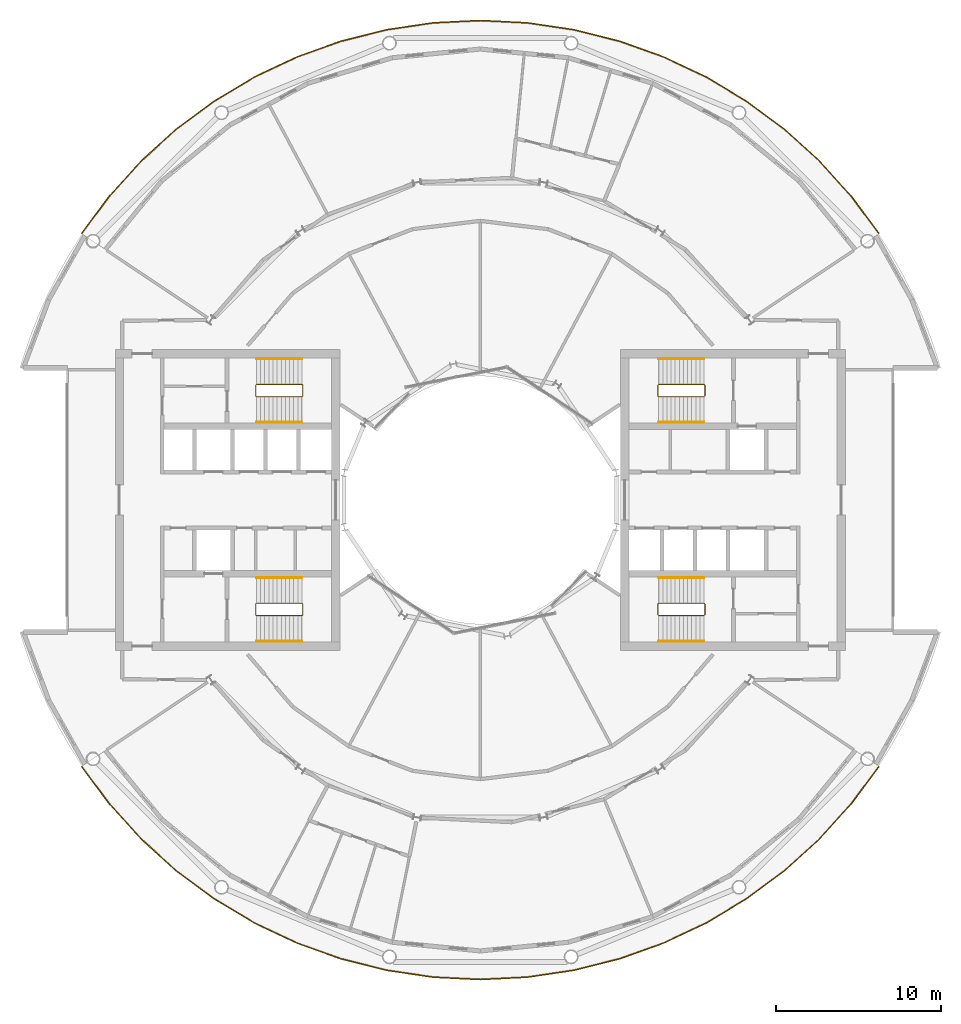
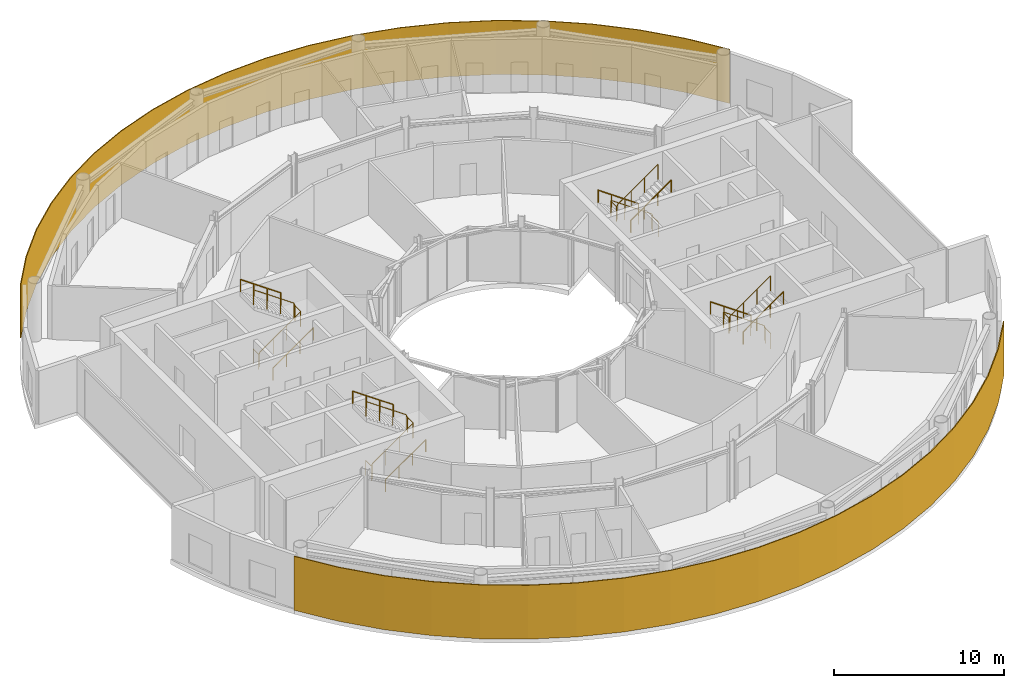
# One storey, part 21 of 21: 14 railings.
"""IFC4 building model written with IfcOpenShell, lengths in metres."""

from ifc_helpers import new_model, si_unit, direction, frame, origin, origin_2d, place, context, subcontext, project, spatial, polyline, circle, outline, extrude, material, layer, layer_set, type_object, element, save


model = new_model("IFC4")

# Units and contexts
model_context = context("Model", 3, precision=1e-05, world=origin(), true_north=direction((0.0, 1.0)))
body_context = subcontext(model_context, "Body", "Model", "MODEL_VIEW")
ifc_project = project(units=[si_unit("LENGTHUNIT", "METRE"), si_unit("AREAUNIT", "SQUARE_METRE"), si_unit("VOLUMEUNIT", "CUBIC_METRE"), si_unit("PLANEANGLEUNIT", "RADIAN"), si_unit("MASSUNIT", "GRAM", prefix="KILO")], contexts=[model_context])

# Site, building, storey
site_placement = place(None, origin())
site = spatial("IfcSite", under=ifc_project, at=site_placement, CompositionType="ELEMENT")
building_placement = place(site_placement, origin())
building = spatial("IfcBuilding", under=site, at=building_placement, Name="Maasbend Ring Residences", CompositionType="ELEMENT")
storey_placement = place(building_placement, frame((0.0, 0.0, 157.39990234375)))
storey = spatial("IfcBuildingStorey", under=building, at=storey_placement, Name="L45", CompositionType="ELEMENT", Elevation=157.39990234375)

# Railings
ifc_material_1 = material(Name="Pale anodised perforated aluminium", Category="aluminium")
ifc_layer = layer(ifc_material_1, 0.06005859375)
ifc_layer_set = layer_set([ifc_layer], Name="SCREEN-P")
railing_type_1 = type_object("IfcRailingType", Name="SCREEN-P", PredefinedType="GUARDRAIL", material=ifc_layer_set)
railing_1_placement = place(storey_placement, frame((0.0, 0.0, -0.02978515625)))
element("IfcRailing", 1, at=railing_1_placement, inside=storey, type_object=railing_type_1, Name="Perforated screen guard 1", PredefinedType="GUARDRAIL", context=body_context, shape_type="SweptSolid", body=[
    extrude(outline(polyline([(24.113037109375, 16.112060546875), (22.4169921875, 18.39697265625), (20.506103515625, 20.506103515625), (18.39697265625, 22.4169921875), (16.112060546875, 24.113037109375), (13.6708984375, 25.575927734375), (11.097900390625, 26.79296875), (8.41796875, 27.7509765625), (5.657958984375, 28.443115234375), (2.842041015625, 28.860107421875), (0.0, 29.0), (-2.842041015625, 28.860107421875), (-5.657958984375, 28.443115234375), (-8.41796875, 27.7509765625), (-11.097900390625, 26.79296875), (-13.6708984375, 25.575927734375), (-16.112060546875, 24.113037109375), (-18.39697265625, 22.4169921875), (-20.506103515625, 20.506103515625), (-22.4169921875, 18.39697265625), (-24.113037109375, 16.112060546875), (-24.1630859375, 16.14501953125), (-22.464111328125, 18.43505859375), (-20.549072265625, 20.549072265625), (-18.43505859375, 22.464111328125), (-16.14501953125, 24.1630859375), (-13.698974609375, 25.62890625), (-11.12109375, 26.847900390625), (-8.43603515625, 27.80908203125), (-5.6689453125, 28.501953125), (-2.847900390625, 28.919921875), (0.0, 29.06005859375), (2.847900390625, 28.919921875), (5.6689453125, 28.501953125), (8.43603515625, 27.80908203125), (11.12109375, 26.847900390625), (13.698974609375, 25.62890625), (16.14501953125, 24.1630859375), (18.43505859375, 22.464111328125), (20.549072265625, 20.549072265625), (22.464111328125, 18.43505859375), (24.1630859375, 16.14501953125), (24.113037109375, 16.112060546875)])), origin(), (0.0, 0.0, 1.0), 3.8798828125),
])
railing_2_placement = place(storey_placement, frame((0.0, 0.0, -0.02978515625)))
element("IfcRailing", 2, at=railing_2_placement, inside=storey, type_object=railing_type_1, Name="Perforated screen guard 1", PredefinedType="GUARDRAIL", context=body_context, shape_type="SweptSolid", body=[
    extrude(outline(polyline([(-24.113037109375, -16.112060546875), (-22.4169921875, -18.39697265625), (-20.506103515625, -20.506103515625), (-18.39697265625, -22.4169921875), (-16.112060546875, -24.113037109375), (-13.6708984375, -25.575927734375), (-11.097900390625, -26.79296875), (-8.41796875, -27.7509765625), (-5.657958984375, -28.443115234375), (-2.842041015625, -28.860107421875), (0.0, -29.0), (2.842041015625, -28.860107421875), (5.657958984375, -28.443115234375), (8.41796875, -27.7509765625), (11.097900390625, -26.79296875), (13.6708984375, -25.575927734375), (16.112060546875, -24.113037109375), (18.39697265625, -22.4169921875), (20.506103515625, -20.506103515625), (22.4169921875, -18.39697265625), (24.113037109375, -16.112060546875), (24.1630859375, -16.14501953125), (22.464111328125, -18.43505859375), (20.549072265625, -20.549072265625), (18.43505859375, -22.464111328125), (16.14501953125, -24.1630859375), (13.698974609375, -25.62890625), (11.12109375, -26.847900390625), (8.43603515625, -27.80908203125), (5.6689453125, -28.501953125), (2.847900390625, -28.919921875), (0.0, -29.06005859375), (-2.847900390625, -28.919921875), (-5.6689453125, -28.501953125), (-8.43603515625, -27.80908203125), (-11.12109375, -26.847900390625), (-13.698974609375, -25.62890625), (-16.14501953125, -24.1630859375), (-18.43505859375, -22.464111328125), (-20.549072265625, -20.549072265625), (-22.464111328125, -18.43505859375), (-24.1630859375, -16.14501953125), (-24.113037109375, -16.112060546875)])), origin(), (0.0, 0.0, 1.0), 3.8798828125),
])
ifc_material_2 = material(Name="Stainless steel 316", Category="steel")
railing_type_2 = type_object("IfcRailingType", Name="STAIR GUARD 1100", PredefinedType="GUARDRAIL", material=ifc_material_2)
railing_3_placement = place(storey_placement, frame((13.60009765625, 6.300048828125, 0.0)))
element("IfcRailing", 3, at=railing_3_placement, inside=storey, type_object=railing_type_2, Name="L45 ST-E1 stair guard 1", PredefinedType="GUARDRAIL", context=body_context, shape_type="SweptSolid", body=[
    extrude(circle(Radius=0.02392578125, at=origin_2d()), frame((0.0, 0.0, 1.076171875), z_axis=(0.0, 1.0, 0.0), x_axis=(-1.0, 0.0, 0.0)), (0.0, 0.0, 1.0), 0.64990234375),
    extrude(circle(Radius=0.02392578125, at=origin_2d()), frame((0.0, 0.64990234375, 1.076171875), z_axis=(-0.265065253269, 0.265065253269, 0.927081885822), x_axis=(-0.707106781187, -0.707106781187, 0.0)), (0.0, 0.0, 1.0), 0.188720703125),
    extrude(circle(Radius=0.02392578125, at=origin_2d()), frame((-0.050048828125, 0.699951171875, 1.2509765625), z_axis=(-0.819225086817, 0.0, 0.573472106672), x_axis=(0.0, -1.0, 0.0)), (0.0, 0.0, 1.0), 3.35693359375),
    extrude(circle(Radius=0.02392578125, at=origin_2d()), frame((-2.800048828125, 0.699951171875, 3.17626953125), z_axis=(-0.707106781187, -0.707106781187, 0.0), x_axis=(0.707106781187, -0.707106781187, 0.0)), (0.0, 0.0, 1.0), 0.07080078125),
    extrude(circle(Radius=0.02392578125, at=origin_2d()), frame((-2.85009765625, 0.64990234375, 3.17626953125), z_axis=(0.0, -1.0, 0.0), x_axis=(1.0, 0.0, 0.0)), (0.0, 0.0, 1.0), 0.64990234375),
    extrude(circle(Radius=0.02392578125, at=origin_2d()), frame((-2.85009765625, 0.0, 3.17626953125), z_axis=(0.265065253269, -0.265065253269, 0.927081885822), x_axis=(0.707106781187, 0.707106781187, 0.0)), (0.0, 0.0, 1.0), 0.188720703125),
    extrude(circle(Radius=0.02392578125, at=origin_2d()), frame((-2.800048828125, -0.050048828125, 3.35107421875), z_axis=(0.819225086817, 0.0, 0.573472106672), x_axis=(0.0, 1.0, 0.0)), (0.0, 0.0, 1.0), 3.35693359375),
    extrude(circle(Radius=0.02099609375, at=origin_2d()), origin(), (0.0, 0.0, 1.0), 1.052001953125),
    extrude(circle(Radius=0.02099609375, at=origin_2d()), frame((0.0, 0.64990234375, 0.0)), (0.0, 0.0, 1.0), 1.052001953125),
    extrude(circle(Radius=0.02099609375, at=origin_2d()), frame((-0.050048828125, 0.699951171875, 0.175048828125)), (0.0, 0.0, 1.0), 1.052001953125),
    extrude(circle(Radius=0.02099609375, at=origin_2d()), frame((-0.966796875, 0.699951171875, 0.816650390625)), (0.0, 0.0, 1.0), 1.052001953125),
    extrude(circle(Radius=0.02099609375, at=origin_2d()), frame((-1.88330078125, 0.699951171875, 1.45849609375)), (0.0, 0.0, 1.0), 1.052001953125),
    extrude(circle(Radius=0.02099609375, at=origin_2d()), frame((-2.800048828125, 0.699951171875, 2.10009765625)), (0.0, 0.0, 1.0), 1.052001953125),
    extrude(circle(Radius=0.02099609375, at=origin_2d()), frame((-2.85009765625, 0.64990234375, 2.10009765625)), (0.0, 0.0, 1.0), 1.052001953125),
    extrude(circle(Radius=0.02099609375, at=origin_2d()), frame((-2.85009765625, 0.0, 2.10009765625)), (0.0, 0.0, 1.0), 1.052001953125),
    extrude(circle(Radius=0.02099609375, at=origin_2d()), frame((-2.800048828125, -0.050048828125, 2.275146484375)), (0.0, 0.0, 1.0), 1.052001953125),
    extrude(circle(Radius=0.02099609375, at=origin_2d()), frame((-1.88330078125, -0.050048828125, 2.916748046875)), (0.0, 0.0, 1.0), 1.052001953125),
    extrude(circle(Radius=0.02099609375, at=origin_2d()), frame((-0.966796875, -0.050048828125, 3.55859375)), (0.0, 0.0, 1.0), 1.052001953125),
    extrude(circle(Radius=0.02099609375, at=origin_2d()), frame((-0.050048828125, -0.050048828125, 4.2001953125)), (0.0, 0.0, 1.0), 1.052001953125),
])
railing_4_placement = place(storey_placement, frame((13.60009765625, -6.949951171875, 0.0)))
element("IfcRailing", 4, at=railing_4_placement, inside=storey, type_object=railing_type_2, Name="L45 ST-E2 stair guard 1", PredefinedType="GUARDRAIL", context=body_context, shape_type="SweptSolid", body=[
    extrude(circle(Radius=0.02392578125, at=origin_2d()), frame((0.0, 0.0, 1.076171875), z_axis=(0.0, 1.0, 0.0), x_axis=(-1.0, 0.0, 0.0)), (0.0, 0.0, 1.0), 0.64990234375),
    extrude(circle(Radius=0.02392578125, at=origin_2d()), frame((0.0, 0.64990234375, 1.076171875), z_axis=(-0.265065253269, 0.265065253269, 0.927081885822), x_axis=(-0.707106781187, -0.707106781187, 0.0)), (0.0, 0.0, 1.0), 0.188720703125),
    extrude(circle(Radius=0.02392578125, at=origin_2d()), frame((-0.050048828125, 0.699951171875, 1.2509765625), z_axis=(-0.819225086817, 0.0, 0.573472106672), x_axis=(0.0, -1.0, 0.0)), (0.0, 0.0, 1.0), 3.35693359375),
    extrude(circle(Radius=0.02392578125, at=origin_2d()), frame((-2.800048828125, 0.699951171875, 3.17626953125), z_axis=(-0.707106781187, -0.707106781187, 0.0), x_axis=(0.707106781187, -0.707106781187, 0.0)), (0.0, 0.0, 1.0), 0.07080078125),
    extrude(circle(Radius=0.02392578125, at=origin_2d()), frame((-2.85009765625, 0.64990234375, 3.17626953125), z_axis=(0.0, -1.0, 0.0), x_axis=(1.0, 0.0, 0.0)), (0.0, 0.0, 1.0), 0.64990234375),
    extrude(circle(Radius=0.02392578125, at=origin_2d()), frame((-2.85009765625, 0.0, 3.17626953125), z_axis=(0.265065253269, -0.265065253269, 0.927081885822), x_axis=(0.707106781187, 0.707106781187, 0.0)), (0.0, 0.0, 1.0), 0.188720703125),
    extrude(circle(Radius=0.02392578125, at=origin_2d()), frame((-2.800048828125, -0.050048828125, 3.35107421875), z_axis=(0.819225086817, 0.0, 0.573472106672), x_axis=(0.0, 1.0, 0.0)), (0.0, 0.0, 1.0), 3.35693359375),
    extrude(circle(Radius=0.02099609375, at=origin_2d()), origin(), (0.0, 0.0, 1.0), 1.052001953125),
    extrude(circle(Radius=0.02099609375, at=origin_2d()), frame((0.0, 0.64990234375, 0.0)), (0.0, 0.0, 1.0), 1.052001953125),
    extrude(circle(Radius=0.02099609375, at=origin_2d()), frame((-0.050048828125, 0.699951171875, 0.175048828125)), (0.0, 0.0, 1.0), 1.052001953125),
    extrude(circle(Radius=0.02099609375, at=origin_2d()), frame((-0.966796875, 0.699951171875, 0.816650390625)), (0.0, 0.0, 1.0), 1.052001953125),
    extrude(circle(Radius=0.02099609375, at=origin_2d()), frame((-1.88330078125, 0.699951171875, 1.45849609375)), (0.0, 0.0, 1.0), 1.052001953125),
    extrude(circle(Radius=0.02099609375, at=origin_2d()), frame((-2.800048828125, 0.699951171875, 2.10009765625)), (0.0, 0.0, 1.0), 1.052001953125),
    extrude(circle(Radius=0.02099609375, at=origin_2d()), frame((-2.85009765625, 0.64990234375, 2.10009765625)), (0.0, 0.0, 1.0), 1.052001953125),
    extrude(circle(Radius=0.02099609375, at=origin_2d()), frame((-2.85009765625, 0.0, 2.10009765625)), (0.0, 0.0, 1.0), 1.052001953125),
    extrude(circle(Radius=0.02099609375, at=origin_2d()), frame((-2.800048828125, -0.050048828125, 2.275146484375)), (0.0, 0.0, 1.0), 1.052001953125),
    extrude(circle(Radius=0.02099609375, at=origin_2d()), frame((-1.88330078125, -0.050048828125, 2.916748046875)), (0.0, 0.0, 1.0), 1.052001953125),
    extrude(circle(Radius=0.02099609375, at=origin_2d()), frame((-0.966796875, -0.050048828125, 3.55859375)), (0.0, 0.0, 1.0), 1.052001953125),
    extrude(circle(Radius=0.02099609375, at=origin_2d()), frame((-0.050048828125, -0.050048828125, 4.2001953125)), (0.0, 0.0, 1.0), 1.052001953125),
])
railing_5_placement = place(storey_placement, frame((-13.60009765625, -6.300048828125, 0.0)))
element("IfcRailing", 5, at=railing_5_placement, inside=storey, type_object=railing_type_2, Name="L45 ST-W1 stair guard 1", PredefinedType="GUARDRAIL", context=body_context, shape_type="SweptSolid", body=[
    extrude(circle(Radius=0.02392578125, at=origin_2d()), frame((0.0, 0.0, 1.076171875), z_axis=(0.0, -1.0, 0.0), x_axis=(1.0, 0.0, 0.0)), (0.0, 0.0, 1.0), 0.64990234375),
    extrude(circle(Radius=0.02392578125, at=origin_2d()), frame((0.0, -0.64990234375, 1.076171875), z_axis=(0.265065253269, -0.265065253269, 0.927081885822), x_axis=(0.707106781187, 0.707106781187, 0.0)), (0.0, 0.0, 1.0), 0.188720703125),
    extrude(circle(Radius=0.02392578125, at=origin_2d()), frame((0.050048828125, -0.699951171875, 1.2509765625), z_axis=(0.819225086817, 0.0, 0.573472106672), x_axis=(0.0, 1.0, 0.0)), (0.0, 0.0, 1.0), 3.35693359375),
    extrude(circle(Radius=0.02392578125, at=origin_2d()), frame((2.800048828125, -0.699951171875, 3.17626953125), z_axis=(0.707106781187, 0.707106781187, 0.0), x_axis=(-0.707106781187, 0.707106781187, 0.0)), (0.0, 0.0, 1.0), 0.07080078125),
    extrude(circle(Radius=0.02392578125, at=origin_2d()), frame((2.85009765625, -0.64990234375, 3.17626953125), z_axis=(0.0, 1.0, 0.0), x_axis=(-1.0, 0.0, 0.0)), (0.0, 0.0, 1.0), 0.64990234375),
    extrude(circle(Radius=0.02392578125, at=origin_2d()), frame((2.85009765625, 0.0, 3.17626953125), z_axis=(-0.265065253269, 0.265065253269, 0.927081885822), x_axis=(-0.707106781187, -0.707106781187, 0.0)), (0.0, 0.0, 1.0), 0.188720703125),
    extrude(circle(Radius=0.02392578125, at=origin_2d()), frame((2.800048828125, 0.050048828125, 3.35107421875), z_axis=(-0.819225086817, 0.0, 0.573472106672), x_axis=(0.0, -1.0, 0.0)), (0.0, 0.0, 1.0), 3.35693359375),
    extrude(circle(Radius=0.02099609375, at=origin_2d()), origin(), (0.0, 0.0, 1.0), 1.052001953125),
    extrude(circle(Radius=0.02099609375, at=origin_2d()), frame((0.0, -0.64990234375, 0.0)), (0.0, 0.0, 1.0), 1.052001953125),
    extrude(circle(Radius=0.02099609375, at=origin_2d()), frame((0.050048828125, -0.699951171875, 0.175048828125)), (0.0, 0.0, 1.0), 1.052001953125),
    extrude(circle(Radius=0.02099609375, at=origin_2d()), frame((0.966796875, -0.699951171875, 0.816650390625)), (0.0, 0.0, 1.0), 1.052001953125),
    extrude(circle(Radius=0.02099609375, at=origin_2d()), frame((1.88330078125, -0.699951171875, 1.45849609375)), (0.0, 0.0, 1.0), 1.052001953125),
    extrude(circle(Radius=0.02099609375, at=origin_2d()), frame((2.800048828125, -0.699951171875, 2.10009765625)), (0.0, 0.0, 1.0), 1.052001953125),
    extrude(circle(Radius=0.02099609375, at=origin_2d()), frame((2.85009765625, -0.64990234375, 2.10009765625)), (0.0, 0.0, 1.0), 1.052001953125),
    extrude(circle(Radius=0.02099609375, at=origin_2d()), frame((2.85009765625, 0.0, 2.10009765625)), (0.0, 0.0, 1.0), 1.052001953125),
    extrude(circle(Radius=0.02099609375, at=origin_2d()), frame((2.800048828125, 0.050048828125, 2.275146484375)), (0.0, 0.0, 1.0), 1.052001953125),
    extrude(circle(Radius=0.02099609375, at=origin_2d()), frame((1.88330078125, 0.050048828125, 2.916748046875)), (0.0, 0.0, 1.0), 1.052001953125),
    extrude(circle(Radius=0.02099609375, at=origin_2d()), frame((0.966796875, 0.050048828125, 3.55859375)), (0.0, 0.0, 1.0), 1.052001953125),
    extrude(circle(Radius=0.02099609375, at=origin_2d()), frame((0.050048828125, 0.050048828125, 4.2001953125)), (0.0, 0.0, 1.0), 1.052001953125),
])
railing_6_placement = place(storey_placement, frame((-13.60009765625, 6.949951171875, 0.0)))
element("IfcRailing", 6, at=railing_6_placement, inside=storey, type_object=railing_type_2, Name="L45 ST-W2 stair guard 1", PredefinedType="GUARDRAIL", context=body_context, shape_type="SweptSolid", body=[
    extrude(circle(Radius=0.02392578125, at=origin_2d()), frame((0.0, 0.0, 1.076171875), z_axis=(0.0, -1.0, 0.0), x_axis=(1.0, 0.0, 0.0)), (0.0, 0.0, 1.0), 0.64990234375),
    extrude(circle(Radius=0.02392578125, at=origin_2d()), frame((0.0, -0.64990234375, 1.076171875), z_axis=(0.265065253269, -0.265065253269, 0.927081885822), x_axis=(0.707106781187, 0.707106781187, 0.0)), (0.0, 0.0, 1.0), 0.188720703125),
    extrude(circle(Radius=0.02392578125, at=origin_2d()), frame((0.050048828125, -0.699951171875, 1.2509765625), z_axis=(0.819225086817, 0.0, 0.573472106672), x_axis=(0.0, 1.0, 0.0)), (0.0, 0.0, 1.0), 3.35693359375),
    extrude(circle(Radius=0.02392578125, at=origin_2d()), frame((2.800048828125, -0.699951171875, 3.17626953125), z_axis=(0.707106781187, 0.707106781187, 0.0), x_axis=(-0.707106781187, 0.707106781187, 0.0)), (0.0, 0.0, 1.0), 0.07080078125),
    extrude(circle(Radius=0.02392578125, at=origin_2d()), frame((2.85009765625, -0.64990234375, 3.17626953125), z_axis=(0.0, 1.0, 0.0), x_axis=(-1.0, 0.0, 0.0)), (0.0, 0.0, 1.0), 0.64990234375),
    extrude(circle(Radius=0.02392578125, at=origin_2d()), frame((2.85009765625, 0.0, 3.17626953125), z_axis=(-0.265065253269, 0.265065253269, 0.927081885822), x_axis=(-0.707106781187, -0.707106781187, 0.0)), (0.0, 0.0, 1.0), 0.188720703125),
    extrude(circle(Radius=0.02392578125, at=origin_2d()), frame((2.800048828125, 0.050048828125, 3.35107421875), z_axis=(-0.819225086817, 0.0, 0.573472106672), x_axis=(0.0, -1.0, 0.0)), (0.0, 0.0, 1.0), 3.35693359375),
    extrude(circle(Radius=0.02099609375, at=origin_2d()), origin(), (0.0, 0.0, 1.0), 1.052001953125),
    extrude(circle(Radius=0.02099609375, at=origin_2d()), frame((0.0, -0.64990234375, 0.0)), (0.0, 0.0, 1.0), 1.052001953125),
    extrude(circle(Radius=0.02099609375, at=origin_2d()), frame((0.050048828125, -0.699951171875, 0.175048828125)), (0.0, 0.0, 1.0), 1.052001953125),
    extrude(circle(Radius=0.02099609375, at=origin_2d()), frame((0.966796875, -0.699951171875, 0.816650390625)), (0.0, 0.0, 1.0), 1.052001953125),
    extrude(circle(Radius=0.02099609375, at=origin_2d()), frame((1.88330078125, -0.699951171875, 1.45849609375)), (0.0, 0.0, 1.0), 1.052001953125),
    extrude(circle(Radius=0.02099609375, at=origin_2d()), frame((2.800048828125, -0.699951171875, 2.10009765625)), (0.0, 0.0, 1.0), 1.052001953125),
    extrude(circle(Radius=0.02099609375, at=origin_2d()), frame((2.85009765625, -0.64990234375, 2.10009765625)), (0.0, 0.0, 1.0), 1.052001953125),
    extrude(circle(Radius=0.02099609375, at=origin_2d()), frame((2.85009765625, 0.0, 2.10009765625)), (0.0, 0.0, 1.0), 1.052001953125),
    extrude(circle(Radius=0.02099609375, at=origin_2d()), frame((2.800048828125, 0.050048828125, 2.275146484375)), (0.0, 0.0, 1.0), 1.052001953125),
    extrude(circle(Radius=0.02099609375, at=origin_2d()), frame((1.88330078125, 0.050048828125, 2.916748046875)), (0.0, 0.0, 1.0), 1.052001953125),
    extrude(circle(Radius=0.02099609375, at=origin_2d()), frame((0.966796875, 0.050048828125, 3.55859375)), (0.0, 0.0, 1.0), 1.052001953125),
    extrude(circle(Radius=0.02099609375, at=origin_2d()), frame((0.050048828125, 0.050048828125, 4.2001953125)), (0.0, 0.0, 1.0), 1.052001953125),
])
ifc_material_3 = material(Name="Stainless steel 316", Category="steel")
railing_type_3 = type_object("IfcRailingType", Name="STAIR HANDRAIL 900", PredefinedType="HANDRAIL", material=ifc_material_3)
railing_7_placement = place(storey_placement, frame((13.550048828125, 8.550048828125, 0.175048828125)))
element("IfcRailing", 7, at=railing_7_placement, inside=storey, type_object=railing_type_3, Name="L45 ST-E1 stair handrail 1", PredefinedType="HANDRAIL", context=body_context, shape_type="SweptSolid", body=[
    extrude(circle(Radius=0.02392578125, at=origin_2d()), frame((0.0, 0.0, 0.8759765625), z_axis=(-0.819225086817, 0.0, 0.573472106672), x_axis=(0.0, -1.0, 0.0)), (0.0, 0.0, 1.0), 3.35693359375),
    extrude(circle(Radius=0.02099609375, at=origin_2d()), origin(), (0.0, 0.0, 1.0), 0.851806640625),
    extrude(circle(Radius=0.02099609375, at=origin_2d()), frame((-0.916748046875, 0.0, 0.6416015625)), (0.0, 0.0, 1.0), 0.851806640625),
    extrude(circle(Radius=0.02099609375, at=origin_2d()), frame((-1.833251953125, 0.0, 1.283447265625)), (0.0, 0.0, 1.0), 0.851806640625),
    extrude(circle(Radius=0.02099609375, at=origin_2d()), frame((-2.75, 0.0, 1.925048828125)), (0.0, 0.0, 1.0), 0.851806640625),
])
railing_8_placement = place(storey_placement, frame((10.800048828125, 4.699951171875, 2.275146484375)))
element("IfcRailing", 8, at=railing_8_placement, inside=storey, type_object=railing_type_3, Name="L45 ST-E1 stair handrail 2", PredefinedType="HANDRAIL", context=body_context, shape_type="SweptSolid", body=[
    extrude(circle(Radius=0.02392578125, at=origin_2d()), frame((0.0, 0.0, 0.8759765625), z_axis=(0.819225086817, 0.0, 0.573472106672), x_axis=(0.0, 1.0, 0.0)), (0.0, 0.0, 1.0), 3.35693359375),
    extrude(circle(Radius=0.02099609375, at=origin_2d()), origin(), (0.0, 0.0, 1.0), 0.851806640625),
    extrude(circle(Radius=0.02099609375, at=origin_2d()), frame((0.916748046875, 0.0, 0.6416015625)), (0.0, 0.0, 1.0), 0.851806640625),
    extrude(circle(Radius=0.02099609375, at=origin_2d()), frame((1.833251953125, 0.0, 1.283447265625)), (0.0, 0.0, 1.0), 0.851806640625),
    extrude(circle(Radius=0.02099609375, at=origin_2d()), frame((2.75, 0.0, 1.925048828125)), (0.0, 0.0, 1.0), 0.851806640625),
])
railing_9_placement = place(storey_placement, frame((13.550048828125, -4.699951171875, 0.175048828125)))
element("IfcRailing", 9, at=railing_9_placement, inside=storey, type_object=railing_type_3, Name="L45 ST-E2 stair handrail 1", PredefinedType="HANDRAIL", context=body_context, shape_type="SweptSolid", body=[
    extrude(circle(Radius=0.02392578125, at=origin_2d()), frame((0.0, 0.0, 0.8759765625), z_axis=(-0.819225086817, 0.0, 0.573472106672), x_axis=(0.0, -1.0, 0.0)), (0.0, 0.0, 1.0), 3.35693359375),
    extrude(circle(Radius=0.02099609375, at=origin_2d()), origin(), (0.0, 0.0, 1.0), 0.851806640625),
    extrude(circle(Radius=0.02099609375, at=origin_2d()), frame((-0.916748046875, 0.0, 0.6416015625)), (0.0, 0.0, 1.0), 0.851806640625),
    extrude(circle(Radius=0.02099609375, at=origin_2d()), frame((-1.833251953125, 0.0, 1.283447265625)), (0.0, 0.0, 1.0), 0.851806640625),
    extrude(circle(Radius=0.02099609375, at=origin_2d()), frame((-2.75, 0.0, 1.925048828125)), (0.0, 0.0, 1.0), 0.851806640625),
])
for number, where, name in (
    (10, (10.800048828125, -8.550048828125, 2.275146484375), "L45 ST-E2 stair handrail 2"),
    (11, (-13.550048828125, -8.550048828125, 0.175048828125), "L45 ST-W1 stair handrail 1"),
):
    element("IfcRailing", number, at=place(storey_placement, frame(where)), inside=storey, type_object=railing_type_3, Name=name, PredefinedType="HANDRAIL", context=body_context, shape_type="SweptSolid", body=[
        extrude(circle(Radius=0.02392578125, at=origin_2d()), frame((0.0, 0.0, 0.8759765625), z_axis=(0.819225086817, 0.0, 0.573472106672), x_axis=(0.0, 1.0, 0.0)), (0.0, 0.0, 1.0), 3.35693359375),
        extrude(circle(Radius=0.02099609375, at=origin_2d()), origin(), (0.0, 0.0, 1.0), 0.851806640625),
        extrude(circle(Radius=0.02099609375, at=origin_2d()), frame((0.916748046875, 0.0, 0.6416015625)), (0.0, 0.0, 1.0), 0.851806640625),
        extrude(circle(Radius=0.02099609375, at=origin_2d()), frame((1.833251953125, 0.0, 1.283447265625)), (0.0, 0.0, 1.0), 0.851806640625),
        extrude(circle(Radius=0.02099609375, at=origin_2d()), frame((2.75, 0.0, 1.925048828125)), (0.0, 0.0, 1.0), 0.851806640625),
    ])
railing_10_placement = place(storey_placement, frame((-10.800048828125, -4.699951171875, 2.275146484375)))
element("IfcRailing", 12, at=railing_10_placement, inside=storey, type_object=railing_type_3, Name="L45 ST-W1 stair handrail 2", PredefinedType="HANDRAIL", context=body_context, shape_type="SweptSolid", body=[
    extrude(circle(Radius=0.02392578125, at=origin_2d()), frame((0.0, 0.0, 0.8759765625), z_axis=(-0.819225086817, 0.0, 0.573472106672), x_axis=(0.0, -1.0, 0.0)), (0.0, 0.0, 1.0), 3.35693359375),
    extrude(circle(Radius=0.02099609375, at=origin_2d()), origin(), (0.0, 0.0, 1.0), 0.851806640625),
    extrude(circle(Radius=0.02099609375, at=origin_2d()), frame((-0.916748046875, 0.0, 0.6416015625)), (0.0, 0.0, 1.0), 0.851806640625),
    extrude(circle(Radius=0.02099609375, at=origin_2d()), frame((-1.833251953125, 0.0, 1.283447265625)), (0.0, 0.0, 1.0), 0.851806640625),
    extrude(circle(Radius=0.02099609375, at=origin_2d()), frame((-2.75, 0.0, 1.925048828125)), (0.0, 0.0, 1.0), 0.851806640625),
])
railing_11_placement = place(storey_placement, frame((-13.550048828125, 4.699951171875, 0.175048828125)))
element("IfcRailing", 13, at=railing_11_placement, inside=storey, type_object=railing_type_3, Name="L45 ST-W2 stair handrail 1", PredefinedType="HANDRAIL", context=body_context, shape_type="SweptSolid", body=[
    extrude(circle(Radius=0.02392578125, at=origin_2d()), frame((0.0, 0.0, 0.8759765625), z_axis=(0.819225086817, 0.0, 0.573472106672), x_axis=(0.0, 1.0, 0.0)), (0.0, 0.0, 1.0), 3.35693359375),
    extrude(circle(Radius=0.02099609375, at=origin_2d()), origin(), (0.0, 0.0, 1.0), 0.851806640625),
    extrude(circle(Radius=0.02099609375, at=origin_2d()), frame((0.916748046875, 0.0, 0.6416015625)), (0.0, 0.0, 1.0), 0.851806640625),
    extrude(circle(Radius=0.02099609375, at=origin_2d()), frame((1.833251953125, 0.0, 1.283447265625)), (0.0, 0.0, 1.0), 0.851806640625),
    extrude(circle(Radius=0.02099609375, at=origin_2d()), frame((2.75, 0.0, 1.925048828125)), (0.0, 0.0, 1.0), 0.851806640625),
])
railing_12_placement = place(storey_placement, frame((-10.800048828125, 8.550048828125, 2.275146484375)))
element("IfcRailing", 14, at=railing_12_placement, inside=storey, type_object=railing_type_3, Name="L45 ST-W2 stair handrail 2", PredefinedType="HANDRAIL", context=body_context, shape_type="SweptSolid", body=[
    extrude(circle(Radius=0.02392578125, at=origin_2d()), frame((0.0, 0.0, 0.8759765625), z_axis=(-0.819225086817, 0.0, 0.573472106672), x_axis=(0.0, -1.0, 0.0)), (0.0, 0.0, 1.0), 3.35693359375),
    extrude(circle(Radius=0.02099609375, at=origin_2d()), origin(), (0.0, 0.0, 1.0), 0.851806640625),
    extrude(circle(Radius=0.02099609375, at=origin_2d()), frame((-0.916748046875, 0.0, 0.6416015625)), (0.0, 0.0, 1.0), 0.851806640625),
    extrude(circle(Radius=0.02099609375, at=origin_2d()), frame((-1.833251953125, 0.0, 1.283447265625)), (0.0, 0.0, 1.0), 0.851806640625),
    extrude(circle(Radius=0.02099609375, at=origin_2d()), frame((-2.75, 0.0, 1.925048828125)), (0.0, 0.0, 1.0), 0.851806640625),
])

save(model, "model.ifc")
